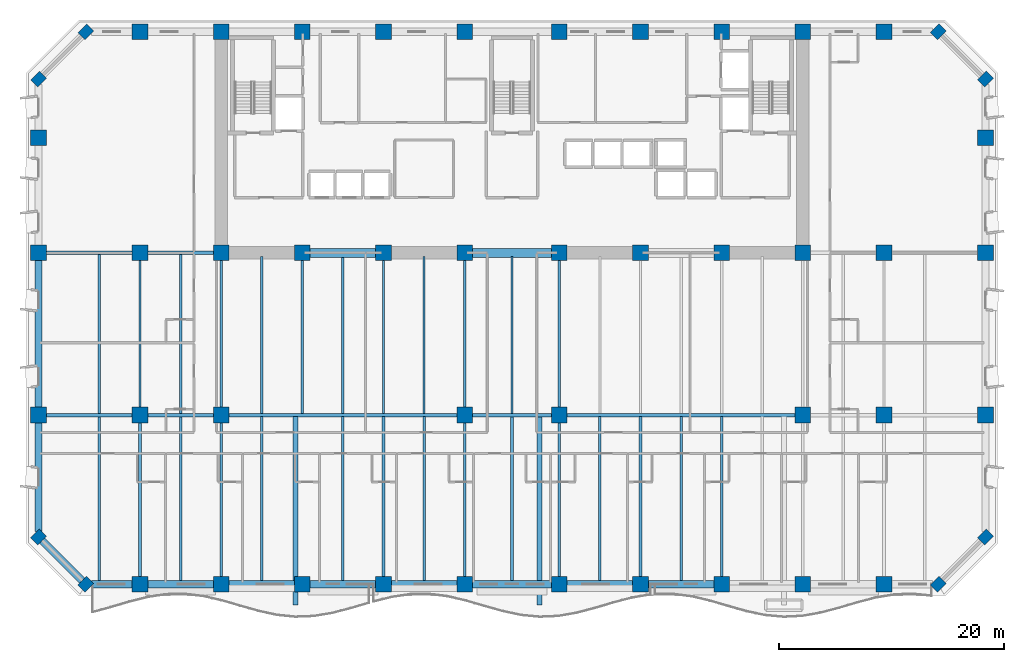
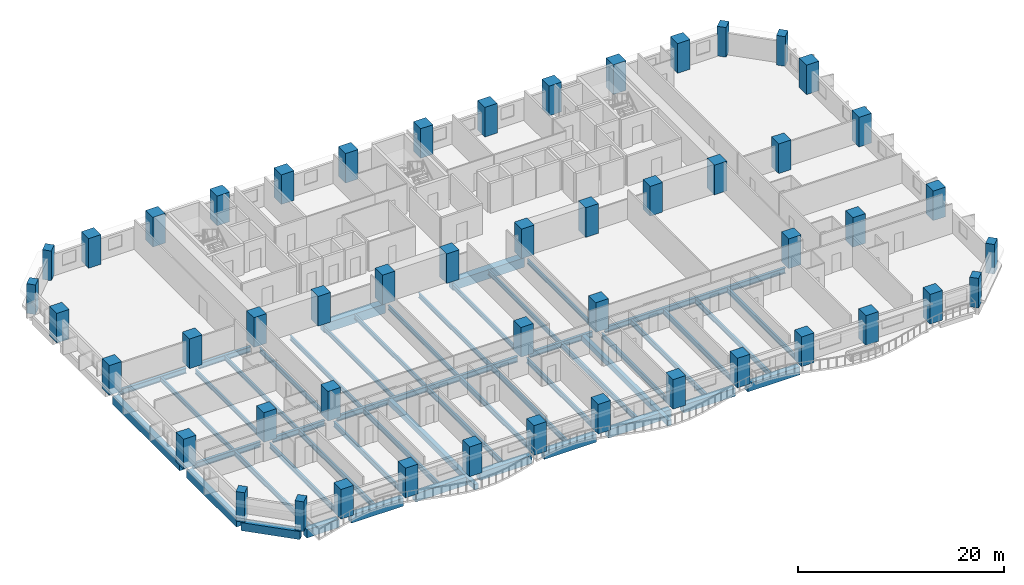
# One storey, part 1 of 15: 50 columns, 49 beams.
"""IFC4 building model written with IfcOpenShell, lengths in metres."""

from ifc_helpers import new_model, si_unit, direction, frame, origin, origin_2d, place, context, subcontext, project, spatial, rectangle, i_section, extrude, material, material_profile, profile_set, type_object, element, save


model = new_model("IFC4")

# Units and contexts
model_context = context("Model", 3, precision=1e-05, world=origin(), true_north=direction((0.0, 1.0)))
body_context = subcontext(model_context, "Body", "Model", "MODEL_VIEW")
ifc_project = project(units=[si_unit("LENGTHUNIT", "METRE"), si_unit("AREAUNIT", "SQUARE_METRE"), si_unit("VOLUMEUNIT", "CUBIC_METRE"), si_unit("PLANEANGLEUNIT", "RADIAN"), si_unit("MASSUNIT", "GRAM", prefix="KILO")], contexts=[model_context])

# Site, building, storey
site_placement = place(None, origin())
site = spatial("IfcSite", under=ifc_project, at=site_placement, CompositionType="ELEMENT")
building_placement = place(site_placement, origin())
building = spatial("IfcBuilding", under=site, at=building_placement, Name="Kaelvorn Grand Hotel", CompositionType="ELEMENT")
storey_placement = place(building_placement, frame((0.0, 0.0, 57.64990234375)))
storey = spatial("IfcBuildingStorey", under=building, at=storey_placement, Name="L12", CompositionType="ELEMENT", Elevation=57.64990234375)

# Columns
ifc_material_1 = material(Name="Concrete C80/95", Category="concrete")
ifc_material_profile_1 = material_profile(ifc_material_1, rectangle(XDim=1.10009765625, YDim=0.89990234375, at=origin_2d()), Name="RC PILASTER 1100x900")
ifc_profile_set_1 = profile_set([ifc_material_profile_1], Name="Concrete C80/95")
column_type_1 = type_object("IfcColumnType", Name="COL-PIL-1100x900-C80", PredefinedType="PILASTER", material=ifc_profile_set_1)
for number, where, z_axis, x_axis, name in (
    (1, (4.199951171875, 0.0, 0.0), (0.0, 0.0, 1.0), (0.707106781187, 0.707106781187, 0.0), "L12 Structural Column CH-01"),
    (2, (79.800048828125, 0.0, 0.0), (0.0, 0.0, 1.0), (0.707106781187, 0.707106781187, 0.0), "L12 Structural Column CH-02"),
    (3, (84.0, 4.199951171875, 0.0), (0.0, 0.0, 1.0), (0.707106781187, 0.707106781187, 0.0), "L12 Structural Column CH-03"),
    (4, (84.0, 44.800048828125, 0.0), (0.0, 0.0, 1.0), (0.707106781187, 0.707106781187, 0.0), "L12 Structural Column CH-04"),
    (5, (79.800048828125, 49.0, 0.0), (0.0, 0.0, 1.0), (0.707106781187, 0.707106781187, 0.0), "L12 Structural Column CH-05"),
    (6, (4.199951171875, 49.0, 0.0), (0.0, 0.0, 1.0), (0.707106781187, 0.707106781187, 0.0), "L12 Structural Column CH-06"),
    (7, (0.0, 44.800048828125, 0.0), (0.0, 0.0, 1.0), (0.707106781187, 0.707106781187, 0.0), "L12 Structural Column CH-07"),
    (8, (0.0, 4.199951171875, 0.0), (0.0, 0.0, 1.0), (0.707106781187, 0.707106781187, 0.0), "L12 Structural Column CH-08"),
):
    element("IfcColumn", number, at=place(storey_placement, frame(where, z_axis=z_axis, x_axis=x_axis)), inside=storey, type_object=column_type_1, Name=name, PredefinedType="PILASTER", context=body_context, shape_type="SweptSolid", body=[
        extrude(rectangle(XDim=1.10009765625, YDim=0.89990234375, at=origin_2d()), origin(), (0.0, 0.0, 1.0), 3.510009765625),
    ])
ifc_material_profile_2 = material_profile(ifc_material_1, rectangle(XDim=1.39990234375, YDim=1.39990234375, at=origin_2d()), Name="RC COL 1400x1400")
ifc_profile_set_2 = profile_set([ifc_material_profile_2], Name="Concrete C80/95")
column_type_2 = type_object("IfcColumnType", Name="COL-RC-1400-C80", PredefinedType="COLUMN", material=ifc_profile_set_2)
for number, where, z_axis, x_axis, name in (
    (9, (9.0, 0.0, 0.0), (0.0, 0.0, 1.0), (1.0, 0.0, 0.0), "L12 Structural Column S-01"),
    (10, (16.199951171875, 0.0, 0.0), (0.0, 0.0, 1.0), (1.0, 0.0, 0.0), "L12 Structural Column S-02"),
    (11, (23.39990234375, 0.0, 0.0), (0.0, 0.0, 1.0), (1.0, 0.0, 0.0), "L12 Structural Column S-03"),
    (12, (30.60009765625, 0.0, 0.0), (0.0, 0.0, 1.0), (1.0, 0.0, 0.0), "L12 Structural Column S-04"),
    (13, (37.800048828125, 0.0, 0.0), (0.0, 0.0, 1.0), (1.0, 0.0, 0.0), "L12 Structural Column S-05"),
    (14, (46.199951171875, 0.0, 0.0), (0.0, 0.0, 1.0), (1.0, 0.0, 0.0), "L12 Structural Column S-06"),
    (15, (53.39990234375, 0.0, 0.0), (0.0, 0.0, 1.0), (1.0, 0.0, 0.0), "L12 Structural Column S-07"),
    (16, (60.60009765625, 0.0, 0.0), (0.0, 0.0, 1.0), (1.0, 0.0, 0.0), "L12 Structural Column S-08"),
    (17, (67.800048828125, 0.0, 0.0), (0.0, 0.0, 1.0), (1.0, 0.0, 0.0), "L12 Structural Column S-09"),
    (18, (75.0, 0.0, 0.0), (0.0, 0.0, 1.0), (1.0, 0.0, 0.0), "L12 Structural Column S-10"),
    (19, (0.0, 15.0, 0.0), (0.0, 0.0, 1.0), (1.0, 0.0, 0.0), "L12 Structural Column W-01"),
    (20, (84.0, 15.0, 0.0), (0.0, 0.0, 1.0), (1.0, 0.0, 0.0), "L12 Structural Column E-01"),
    (21, (0.0, 29.39990234375, 0.0), (0.0, 0.0, 1.0), (1.0, 0.0, 0.0), "L12 Structural Column W-02"),
    (22, (84.0, 29.39990234375, 0.0), (0.0, 0.0, 1.0), (1.0, 0.0, 0.0), "L12 Structural Column E-02"),
    (23, (0.0, 39.60009765625, 0.0), (0.0, 0.0, 1.0), (1.0, 0.0, 0.0), "L12 Structural Column W-03"),
    (24, (84.0, 39.60009765625, 0.0), (0.0, 0.0, 1.0), (1.0, 0.0, 0.0), "L12 Structural Column E-03"),
    (25, (9.0, 15.0, 0.0), (0.0, 0.0, 1.0), (1.0, 0.0, 0.0), "L12 Structural Column M-01"),
    (26, (16.199951171875, 15.0, 0.0), (0.0, 0.0, 1.0), (1.0, 0.0, 0.0), "L12 Structural Column M-02"),
    (27, (37.800048828125, 15.0, 0.0), (0.0, 0.0, 1.0), (1.0, 0.0, 0.0), "L12 Structural Column M-03"),
    (28, (46.199951171875, 15.0, 0.0), (0.0, 0.0, 1.0), (1.0, 0.0, 0.0), "L12 Structural Column M-04"),
    (29, (67.800048828125, 15.0, 0.0), (0.0, 0.0, 1.0), (1.0, 0.0, 0.0), "L12 Structural Column M-05"),
    (30, (75.0, 15.0, 0.0), (0.0, 0.0, 1.0), (1.0, 0.0, 0.0), "L12 Structural Column M-06"),
    (31, (9.0, 29.39990234375, 0.0), (0.0, 0.0, 1.0), (1.0, 0.0, 0.0), "L12 Structural Column CR1-01"),
    (32, (9.0, 49.0, 0.0), (0.0, 0.0, 1.0), (1.0, 0.0, 0.0), "L12 Structural Column CR2-01"),
    (33, (16.199951171875, 29.39990234375, 0.0), (0.0, 0.0, 1.0), (1.0, 0.0, 0.0), "L12 Structural Column CR1-02"),
    (34, (16.199951171875, 49.0, 0.0), (0.0, 0.0, 1.0), (1.0, 0.0, 0.0), "L12 Structural Column CR2-02"),
    (35, (23.39990234375, 29.39990234375, 0.0), (0.0, 0.0, 1.0), (1.0, 0.0, 0.0), "L12 Structural Column CR1-03"),
    (36, (23.39990234375, 49.0, 0.0), (0.0, 0.0, 1.0), (1.0, 0.0, 0.0), "L12 Structural Column CR2-03"),
    (37, (30.60009765625, 29.39990234375, 0.0), (0.0, 0.0, 1.0), (1.0, 0.0, 0.0), "L12 Structural Column CR1-04"),
    (38, (30.60009765625, 49.0, 0.0), (0.0, 0.0, 1.0), (1.0, 0.0, 0.0), "L12 Structural Column CR2-04"),
    (39, (37.800048828125, 29.39990234375, 0.0), (0.0, 0.0, 1.0), (1.0, 0.0, 0.0), "L12 Structural Column CR1-05"),
    (40, (37.800048828125, 49.0, 0.0), (0.0, 0.0, 1.0), (1.0, 0.0, 0.0), "L12 Structural Column CR2-05"),
    (41, (46.199951171875, 29.39990234375, 0.0), (0.0, 0.0, 1.0), (1.0, 0.0, 0.0), "L12 Structural Column CR1-06"),
    (42, (46.199951171875, 49.0, 0.0), (0.0, 0.0, 1.0), (1.0, 0.0, 0.0), "L12 Structural Column CR2-06"),
    (43, (53.39990234375, 29.39990234375, 0.0), (0.0, 0.0, 1.0), (1.0, 0.0, 0.0), "L12 Structural Column CR1-07"),
    (44, (53.39990234375, 49.0, 0.0), (0.0, 0.0, 1.0), (1.0, 0.0, 0.0), "L12 Structural Column CR2-07"),
    (45, (60.60009765625, 29.39990234375, 0.0), (0.0, 0.0, 1.0), (1.0, 0.0, 0.0), "L12 Structural Column CR1-08"),
    (46, (60.60009765625, 49.0, 0.0), (0.0, 0.0, 1.0), (1.0, 0.0, 0.0), "L12 Structural Column CR2-08"),
    (47, (67.800048828125, 29.39990234375, 0.0), (0.0, 0.0, 1.0), (1.0, 0.0, 0.0), "L12 Structural Column CR1-09"),
    (48, (67.800048828125, 49.0, 0.0), (0.0, 0.0, 1.0), (1.0, 0.0, 0.0), "L12 Structural Column CR2-09"),
    (49, (75.0, 29.39990234375, 0.0), (0.0, 0.0, 1.0), (1.0, 0.0, 0.0), "L12 Structural Column CR1-10"),
    (50, (75.0, 49.0, 0.0), (0.0, 0.0, 1.0), (1.0, 0.0, 0.0), "L12 Structural Column CR2-10"),
):
    element("IfcColumn", number, at=place(storey_placement, frame(where, z_axis=z_axis, x_axis=x_axis)), inside=storey, type_object=column_type_2, Name=name, PredefinedType="COLUMN", context=body_context, shape_type="SweptSolid", body=[
        extrude(rectangle(XDim=1.39990234375, YDim=1.39990234375, at=origin_2d()), origin(), (0.0, 0.0, 1.0), 3.510009765625),
    ])

# Beams
ifc_material_2 = material(Name="Steel S355", Category="steel")
ifc_material_profile_3 = material_profile(ifc_material_2, i_section(OverallWidth=0.300048828125, OverallDepth=0.64990234375, WebThickness=0.01611328125, FlangeThickness=0.031005859375, FilletRadius=0.027099609375, at=origin_2d()), Name="HEB 650")
ifc_profile_set_3 = profile_set([ifc_material_profile_3], Name="Steel S355")
beam_type_1 = type_object("IfcBeamType", Name="BM-G-HEB650-S355", PredefinedType="BEAM", material=ifc_profile_set_3)
beam_1_placement = place(storey_placement, frame((0.68505859375, 15.0, -0.56494140625), z_axis=(1.0, 0.0, 0.0), x_axis=(0.0, 1.0, 0.0)))
element("IfcBeam", 51, at=beam_1_placement, inside=storey, type_object=beam_type_1, Name="L12 Primary Spine Steel Girder G-15 01", PredefinedType="BEAM", context=body_context, shape_type="SweptSolid", body=[
    extrude(i_section(OverallWidth=0.300048828125, OverallDepth=0.64990234375, WebThickness=0.01611328125, FlangeThickness=0.031005859375, FilletRadius=0.027099609375, at=origin_2d()), origin(), (0.0, 0.0, 1.0), 7.6298828125),
])
beam_2_placement = place(storey_placement, frame((9.68505859375, 15.0, -0.56494140625), z_axis=(1.0, 0.0, 0.0), x_axis=(0.0, 1.0, 0.0)))
element("IfcBeam", 52, at=beam_2_placement, inside=storey, type_object=beam_type_1, Name="L12 Primary Spine Steel Girder G-15 02", PredefinedType="BEAM", context=body_context, shape_type="SweptSolid", body=[
    extrude(i_section(OverallWidth=0.300048828125, OverallDepth=0.64990234375, WebThickness=0.01611328125, FlangeThickness=0.031005859375, FilletRadius=0.027099609375, at=origin_2d()), origin(), (0.0, 0.0, 1.0), 5.829833984375),
])
beam_3_placement = place(storey_placement, frame((16.885009765625, 15.0, -0.56494140625), z_axis=(1.0, 0.0, 0.0), x_axis=(0.0, 1.0, 0.0)))
element("IfcBeam", 53, at=beam_3_placement, inside=storey, type_object=beam_type_1, Name="L12 Primary Spine Steel Girder G-15 03", PredefinedType="BEAM", context=body_context, shape_type="SweptSolid", body=[
    extrude(i_section(OverallWidth=0.300048828125, OverallDepth=0.64990234375, WebThickness=0.01611328125, FlangeThickness=0.031005859375, FilletRadius=0.027099609375, at=origin_2d()), origin(), (0.0, 0.0, 1.0), 20.22998046875),
])
beam_4_placement = place(storey_placement, frame((38.485107421875, 15.0, -0.56494140625), z_axis=(1.0, 0.0, 0.0), x_axis=(0.0, 1.0, 0.0)))
element("IfcBeam", 54, at=beam_4_placement, inside=storey, type_object=beam_type_1, Name="L12 Primary Spine Steel Girder G-15 04", PredefinedType="BEAM", context=body_context, shape_type="SweptSolid", body=[
    extrude(i_section(OverallWidth=0.300048828125, OverallDepth=0.64990234375, WebThickness=0.01611328125, FlangeThickness=0.031005859375, FilletRadius=0.027099609375, at=origin_2d()), origin(), (0.0, 0.0, 1.0), 7.02978515625),
])
beam_5_placement = place(storey_placement, frame((46.885009765625, 15.0, -0.56494140625), z_axis=(1.0, 0.0, 0.0), x_axis=(0.0, 1.0, 0.0)))
element("IfcBeam", 55, at=beam_5_placement, inside=storey, type_object=beam_type_1, Name="L12 Primary Spine Steel Girder G-15 05", PredefinedType="BEAM", context=body_context, shape_type="SweptSolid", body=[
    extrude(i_section(OverallWidth=0.300048828125, OverallDepth=0.64990234375, WebThickness=0.01611328125, FlangeThickness=0.031005859375, FilletRadius=0.027099609375, at=origin_2d()), origin(), (0.0, 0.0, 1.0), 20.22998046875),
])
beam_6_placement = place(storey_placement, frame((0.68505859375, 29.39990234375, -0.56494140625), z_axis=(1.0, 0.0, 0.0), x_axis=(0.0, 1.0, 0.0)))
element("IfcBeam", 56, at=beam_6_placement, inside=storey, type_object=beam_type_1, Name="L12 West Core Wing Steel Girder G-29W 01", PredefinedType="BEAM", context=body_context, shape_type="SweptSolid", body=[
    extrude(i_section(OverallWidth=0.300048828125, OverallDepth=0.64990234375, WebThickness=0.01611328125, FlangeThickness=0.031005859375, FilletRadius=0.027099609375, at=origin_2d()), origin(), (0.0, 0.0, 1.0), 7.6298828125),
])
beam_7_placement = place(storey_placement, frame((9.68505859375, 29.39990234375, -0.56494140625), z_axis=(1.0, 0.0, 0.0), x_axis=(0.0, 1.0, 0.0)))
element("IfcBeam", 57, at=beam_7_placement, inside=storey, type_object=beam_type_1, Name="L12 West Core Wing Steel Girder G-29W 02", PredefinedType="BEAM", context=body_context, shape_type="SweptSolid", body=[
    extrude(i_section(OverallWidth=0.300048828125, OverallDepth=0.64990234375, WebThickness=0.01611328125, FlangeThickness=0.031005859375, FilletRadius=0.027099609375, at=origin_2d()), origin(), (0.0, 0.0, 1.0), 5.829833984375),
])
ifc_material_profile_4 = material_profile(ifc_material_2, i_section(OverallWidth=0.209228515625, OverallDepth=0.533203125, WebThickness=0.010009765625, FlangeThickness=0.015625, FilletRadius=0.0126953125, at=origin_2d()), Name="UB 533x210x92")
ifc_profile_set_4 = profile_set([ifc_material_profile_4], Name="Steel S355")
beam_type_2 = type_object("IfcBeamType", Name="BM-J-UB533-S355", PredefinedType="JOIST", material=ifc_profile_set_4)
beam_8_placement = place(storey_placement, frame((5.39990234375, 15.135009765625, -0.50634765625), z_axis=(0.0, 1.0, 0.0), x_axis=(-1.0, 0.0, 0.0)))
element("IfcBeam", 58, at=beam_8_placement, inside=storey, type_object=beam_type_2, Name="L12 Composite Floor Joist JM-02", PredefinedType="JOIST", context=body_context, shape_type="SweptSolid", body=[
    extrude(i_section(OverallWidth=0.209228515625, OverallDepth=0.533203125, WebThickness=0.010009765625, FlangeThickness=0.015625, FilletRadius=0.0126953125, at=origin_2d()), origin(), (0.0, 0.0, 1.0), 14.1298828125),
])
beam_9_placement = place(storey_placement, frame((9.0, 15.68505859375, -0.50634765625), z_axis=(0.0, 1.0, 0.0), x_axis=(-1.0, 0.0, 0.0)))
element("IfcBeam", 59, at=beam_9_placement, inside=storey, type_object=beam_type_2, Name="L12 Composite Floor Joist JM-03", PredefinedType="JOIST", context=body_context, shape_type="SweptSolid", body=[
    extrude(i_section(OverallWidth=0.209228515625, OverallDepth=0.533203125, WebThickness=0.010009765625, FlangeThickness=0.015625, FilletRadius=0.0126953125, at=origin_2d()), origin(), (0.0, 0.0, 1.0), 13.030029296875),
])
beam_10_placement = place(storey_placement, frame((12.60009765625, 15.135009765625, -0.50634765625), z_axis=(0.0, 1.0, 0.0), x_axis=(-1.0, 0.0, 0.0)))
element("IfcBeam", 60, at=beam_10_placement, inside=storey, type_object=beam_type_2, Name="L12 Composite Floor Joist JM-04", PredefinedType="JOIST", context=body_context, shape_type="SweptSolid", body=[
    extrude(i_section(OverallWidth=0.209228515625, OverallDepth=0.533203125, WebThickness=0.010009765625, FlangeThickness=0.015625, FilletRadius=0.0126953125, at=origin_2d()), origin(), (0.0, 0.0, 1.0), 14.1298828125),
])
beam_11_placement = place(storey_placement, frame((16.199951171875, 15.68505859375, -0.50634765625), z_axis=(0.0, 1.0, 0.0), x_axis=(-1.0, 0.0, 0.0)))
element("IfcBeam", 61, at=beam_11_placement, inside=storey, type_object=beam_type_2, Name="L12 Composite Floor Joist JM-05", PredefinedType="JOIST", context=body_context, shape_type="SweptSolid", body=[
    extrude(i_section(OverallWidth=0.209228515625, OverallDepth=0.533203125, WebThickness=0.010009765625, FlangeThickness=0.015625, FilletRadius=0.0126953125, at=origin_2d()), origin(), (0.0, 0.0, 1.0), 13.030029296875),
])
beam_12_placement = place(storey_placement, frame((19.800048828125, 15.135009765625, -0.50634765625), z_axis=(0.0, 1.0, 0.0), x_axis=(-1.0, 0.0, 0.0)))
element("IfcBeam", 62, at=beam_12_placement, inside=storey, type_object=beam_type_2, Name="L12 Composite Floor Joist JM-06", PredefinedType="JOIST", context=body_context, shape_type="SweptSolid", body=[
    extrude(i_section(OverallWidth=0.209228515625, OverallDepth=0.533203125, WebThickness=0.010009765625, FlangeThickness=0.015625, FilletRadius=0.0126953125, at=origin_2d()), origin(), (0.0, 0.0, 1.0), 13.925048828125),
])
beam_13_placement = place(storey_placement, frame((23.39990234375, 15.135009765625, -0.50634765625), z_axis=(0.0, 1.0, 0.0), x_axis=(-1.0, 0.0, 0.0)))
element("IfcBeam", 63, at=beam_13_placement, inside=storey, type_object=beam_type_2, Name="L12 Composite Floor Joist JM-07", PredefinedType="JOIST", context=body_context, shape_type="SweptSolid", body=[
    extrude(i_section(OverallWidth=0.209228515625, OverallDepth=0.533203125, WebThickness=0.010009765625, FlangeThickness=0.015625, FilletRadius=0.0126953125, at=origin_2d()), origin(), (0.0, 0.0, 1.0), 13.580078125),
])
beam_14_placement = place(storey_placement, frame((27.0, 15.135009765625, -0.50634765625), z_axis=(0.0, 1.0, 0.0), x_axis=(-1.0, 0.0, 0.0)))
element("IfcBeam", 64, at=beam_14_placement, inside=storey, type_object=beam_type_2, Name="L12 Composite Floor Joist JM-08", PredefinedType="JOIST", context=body_context, shape_type="SweptSolid", body=[
    extrude(i_section(OverallWidth=0.209228515625, OverallDepth=0.533203125, WebThickness=0.010009765625, FlangeThickness=0.015625, FilletRadius=0.0126953125, at=origin_2d()), origin(), (0.0, 0.0, 1.0), 13.925048828125),
])
beam_15_placement = place(storey_placement, frame((30.60009765625, 15.135009765625, -0.50634765625), z_axis=(0.0, 1.0, 0.0), x_axis=(-1.0, 0.0, 0.0)))
element("IfcBeam", 65, at=beam_15_placement, inside=storey, type_object=beam_type_2, Name="L12 Composite Floor Joist JM-09", PredefinedType="JOIST", context=body_context, shape_type="SweptSolid", body=[
    extrude(i_section(OverallWidth=0.209228515625, OverallDepth=0.533203125, WebThickness=0.010009765625, FlangeThickness=0.015625, FilletRadius=0.0126953125, at=origin_2d()), origin(), (0.0, 0.0, 1.0), 13.580078125),
])
beam_16_placement = place(storey_placement, frame((34.199951171875, 15.135009765625, -0.50634765625), z_axis=(0.0, 1.0, 0.0), x_axis=(-1.0, 0.0, 0.0)))
element("IfcBeam", 66, at=beam_16_placement, inside=storey, type_object=beam_type_2, Name="L12 Composite Floor Joist JM-10", PredefinedType="JOIST", context=body_context, shape_type="SweptSolid", body=[
    extrude(i_section(OverallWidth=0.209228515625, OverallDepth=0.533203125, WebThickness=0.010009765625, FlangeThickness=0.015625, FilletRadius=0.0126953125, at=origin_2d()), origin(), (0.0, 0.0, 1.0), 13.925048828125),
])
beam_17_placement = place(storey_placement, frame((37.800048828125, 15.68505859375, -0.50634765625), z_axis=(0.0, 1.0, 0.0), x_axis=(-1.0, 0.0, 0.0)))
element("IfcBeam", 67, at=beam_17_placement, inside=storey, type_object=beam_type_2, Name="L12 Composite Floor Joist JM-11", PredefinedType="JOIST", context=body_context, shape_type="SweptSolid", body=[
    extrude(i_section(OverallWidth=0.209228515625, OverallDepth=0.533203125, WebThickness=0.010009765625, FlangeThickness=0.015625, FilletRadius=0.0126953125, at=origin_2d()), origin(), (0.0, 0.0, 1.0), 13.030029296875),
])
beam_18_placement = place(storey_placement, frame((42.0, 15.135009765625, -0.50634765625), z_axis=(0.0, 1.0, 0.0), x_axis=(-1.0, 0.0, 0.0)))
element("IfcBeam", 68, at=beam_18_placement, inside=storey, type_object=beam_type_2, Name="L12 Composite Floor Joist JM-12", PredefinedType="JOIST", context=body_context, shape_type="SweptSolid", body=[
    extrude(i_section(OverallWidth=0.209228515625, OverallDepth=0.533203125, WebThickness=0.010009765625, FlangeThickness=0.015625, FilletRadius=0.0126953125, at=origin_2d()), origin(), (0.0, 0.0, 1.0), 13.925048828125),
])
beam_19_placement = place(storey_placement, frame((46.199951171875, 15.68505859375, -0.50634765625), z_axis=(0.0, 1.0, 0.0), x_axis=(-1.0, 0.0, 0.0)))
element("IfcBeam", 69, at=beam_19_placement, inside=storey, type_object=beam_type_2, Name="L12 Composite Floor Joist JM-13", PredefinedType="JOIST", context=body_context, shape_type="SweptSolid", body=[
    extrude(i_section(OverallWidth=0.209228515625, OverallDepth=0.533203125, WebThickness=0.010009765625, FlangeThickness=0.015625, FilletRadius=0.0126953125, at=origin_2d()), origin(), (0.0, 0.0, 1.0), 13.030029296875),
])
ifc_material_profile_5 = material_profile(ifc_material_2, i_section(OverallWidth=0.22900390625, OverallDepth=0.6123046875, WebThickness=0.011962890625, FlangeThickness=0.01953125, FilletRadius=0.0126953125, at=origin_2d()), Name="UB 610x229x125")
ifc_profile_set_5 = profile_set([ifc_material_profile_5], Name="Steel S355")
beam_type_3 = type_object("IfcBeamType", Name="BM-J-UB610-S355", PredefinedType="JOIST", material=ifc_profile_set_5)
beam_20_placement = place(storey_placement, frame((5.39990234375, 0.31005859375, -0.5458984375), z_axis=(0.0, 1.0, 0.0), x_axis=(-1.0, 0.0, 0.0)))
element("IfcBeam", 70, at=beam_20_placement, inside=storey, type_object=beam_type_3, Name="L12 Composite Floor Joist JS-02", PredefinedType="JOIST", context=body_context, shape_type="SweptSolid", body=[
    extrude(i_section(OverallWidth=0.22900390625, OverallDepth=0.6123046875, WebThickness=0.011962890625, FlangeThickness=0.01953125, FilletRadius=0.0126953125, at=origin_2d()), origin(), (0.0, 0.0, 1.0), 14.554931640625),
])
beam_21_placement = place(storey_placement, frame((9.0, 0.68505859375, -0.5458984375), z_axis=(0.0, 1.0, 0.0), x_axis=(-1.0, 0.0, 0.0)))
element("IfcBeam", 71, at=beam_21_placement, inside=storey, type_object=beam_type_3, Name="L12 Composite Floor Joist JS-03", PredefinedType="JOIST", context=body_context, shape_type="SweptSolid", body=[
    extrude(i_section(OverallWidth=0.22900390625, OverallDepth=0.6123046875, WebThickness=0.011962890625, FlangeThickness=0.01953125, FilletRadius=0.0126953125, at=origin_2d()), origin(), (0.0, 0.0, 1.0), 13.6298828125),
])
beam_22_placement = place(storey_placement, frame((12.60009765625, 0.31005859375, -0.5458984375), z_axis=(0.0, 1.0, 0.0), x_axis=(-1.0, 0.0, 0.0)))
element("IfcBeam", 72, at=beam_22_placement, inside=storey, type_object=beam_type_3, Name="L12 Composite Floor Joist JS-04", PredefinedType="JOIST", context=body_context, shape_type="SweptSolid", body=[
    extrude(i_section(OverallWidth=0.22900390625, OverallDepth=0.6123046875, WebThickness=0.011962890625, FlangeThickness=0.01953125, FilletRadius=0.0126953125, at=origin_2d()), origin(), (0.0, 0.0, 1.0), 14.554931640625),
])
beam_23_placement = place(storey_placement, frame((16.199951171875, 0.68505859375, -0.5458984375), z_axis=(0.0, 1.0, 0.0), x_axis=(-1.0, 0.0, 0.0)))
element("IfcBeam", 73, at=beam_23_placement, inside=storey, type_object=beam_type_3, Name="L12 Composite Floor Joist JS-05", PredefinedType="JOIST", context=body_context, shape_type="SweptSolid", body=[
    extrude(i_section(OverallWidth=0.22900390625, OverallDepth=0.6123046875, WebThickness=0.011962890625, FlangeThickness=0.01953125, FilletRadius=0.0126953125, at=origin_2d()), origin(), (0.0, 0.0, 1.0), 13.6298828125),
])
for number, where, z_axis, x_axis, name in (
    (74, (19.800048828125, 0.31005859375, -0.5458984375), (0.0, 1.0, 0.0), (-1.0, 0.0, 0.0), "L12 Composite Floor Joist JS-06"),
    (75, (27.0, 0.31005859375, -0.5458984375), (0.0, 1.0, 0.0), (-1.0, 0.0, 0.0), "L12 Composite Floor Joist JS-08"),
):
    element("IfcBeam", number, at=place(storey_placement, frame(where, z_axis=z_axis, x_axis=x_axis)), inside=storey, type_object=beam_type_3, Name=name, PredefinedType="JOIST", context=body_context, shape_type="SweptSolid", body=[
        extrude(i_section(OverallWidth=0.22900390625, OverallDepth=0.6123046875, WebThickness=0.011962890625, FlangeThickness=0.01953125, FilletRadius=0.0126953125, at=origin_2d()), origin(), (0.0, 0.0, 1.0), 14.554931640625),
    ])
beam_24_placement = place(storey_placement, frame((30.60009765625, 0.68505859375, -0.5458984375), z_axis=(0.0, 1.0, 0.0), x_axis=(-1.0, 0.0, 0.0)))
element("IfcBeam", 76, at=beam_24_placement, inside=storey, type_object=beam_type_3, Name="L12 Composite Floor Joist JS-09", PredefinedType="JOIST", context=body_context, shape_type="SweptSolid", body=[
    extrude(i_section(OverallWidth=0.22900390625, OverallDepth=0.6123046875, WebThickness=0.011962890625, FlangeThickness=0.01953125, FilletRadius=0.0126953125, at=origin_2d()), origin(), (0.0, 0.0, 1.0), 14.179931640625),
])
beam_25_placement = place(storey_placement, frame((34.199951171875, 0.31005859375, -0.5458984375), z_axis=(0.0, 1.0, 0.0), x_axis=(-1.0, 0.0, 0.0)))
element("IfcBeam", 77, at=beam_25_placement, inside=storey, type_object=beam_type_3, Name="L12 Composite Floor Joist JS-10", PredefinedType="JOIST", context=body_context, shape_type="SweptSolid", body=[
    extrude(i_section(OverallWidth=0.22900390625, OverallDepth=0.6123046875, WebThickness=0.011962890625, FlangeThickness=0.01953125, FilletRadius=0.0126953125, at=origin_2d()), origin(), (0.0, 0.0, 1.0), 14.554931640625),
])
beam_26_placement = place(storey_placement, frame((37.800048828125, 0.68505859375, -0.5458984375), z_axis=(0.0, 1.0, 0.0), x_axis=(-1.0, 0.0, 0.0)))
element("IfcBeam", 78, at=beam_26_placement, inside=storey, type_object=beam_type_3, Name="L12 Composite Floor Joist JS-11", PredefinedType="JOIST", context=body_context, shape_type="SweptSolid", body=[
    extrude(i_section(OverallWidth=0.22900390625, OverallDepth=0.6123046875, WebThickness=0.011962890625, FlangeThickness=0.01953125, FilletRadius=0.0126953125, at=origin_2d()), origin(), (0.0, 0.0, 1.0), 13.6298828125),
])
beam_27_placement = place(storey_placement, frame((42.0, 0.31005859375, -0.5458984375), z_axis=(0.0, 1.0, 0.0), x_axis=(-1.0, 0.0, 0.0)))
element("IfcBeam", 79, at=beam_27_placement, inside=storey, type_object=beam_type_3, Name="L12 Composite Floor Joist JS-12", PredefinedType="JOIST", context=body_context, shape_type="SweptSolid", body=[
    extrude(i_section(OverallWidth=0.22900390625, OverallDepth=0.6123046875, WebThickness=0.011962890625, FlangeThickness=0.01953125, FilletRadius=0.0126953125, at=origin_2d()), origin(), (0.0, 0.0, 1.0), 14.554931640625),
])
beam_28_placement = place(storey_placement, frame((46.199951171875, 0.68505859375, -0.5458984375), z_axis=(0.0, 1.0, 0.0), x_axis=(-1.0, 0.0, 0.0)))
element("IfcBeam", 80, at=beam_28_placement, inside=storey, type_object=beam_type_3, Name="L12 Composite Floor Joist JS-13", PredefinedType="JOIST", context=body_context, shape_type="SweptSolid", body=[
    extrude(i_section(OverallWidth=0.22900390625, OverallDepth=0.6123046875, WebThickness=0.011962890625, FlangeThickness=0.01953125, FilletRadius=0.0126953125, at=origin_2d()), origin(), (0.0, 0.0, 1.0), 13.6298828125),
])
beam_29_placement = place(storey_placement, frame((49.800048828125, 0.31005859375, -0.5458984375), z_axis=(0.0, 1.0, 0.0), x_axis=(-1.0, 0.0, 0.0)))
element("IfcBeam", 81, at=beam_29_placement, inside=storey, type_object=beam_type_3, Name="L12 Composite Floor Joist JS-14", PredefinedType="JOIST", context=body_context, shape_type="SweptSolid", body=[
    extrude(i_section(OverallWidth=0.22900390625, OverallDepth=0.6123046875, WebThickness=0.011962890625, FlangeThickness=0.01953125, FilletRadius=0.0126953125, at=origin_2d()), origin(), (0.0, 0.0, 1.0), 14.554931640625),
])
beam_30_placement = place(storey_placement, frame((53.39990234375, 0.68505859375, -0.5458984375), z_axis=(0.0, 1.0, 0.0), x_axis=(-1.0, 0.0, 0.0)))
element("IfcBeam", 82, at=beam_30_placement, inside=storey, type_object=beam_type_3, Name="L12 Composite Floor Joist JS-15", PredefinedType="JOIST", context=body_context, shape_type="SweptSolid", body=[
    extrude(i_section(OverallWidth=0.22900390625, OverallDepth=0.6123046875, WebThickness=0.011962890625, FlangeThickness=0.01953125, FilletRadius=0.0126953125, at=origin_2d()), origin(), (0.0, 0.0, 1.0), 14.179931640625),
])
beam_31_placement = place(storey_placement, frame((57.0, 0.31005859375, -0.5458984375), z_axis=(0.0, 1.0, 0.0), x_axis=(-1.0, 0.0, 0.0)))
element("IfcBeam", 83, at=beam_31_placement, inside=storey, type_object=beam_type_3, Name="L12 Composite Floor Joist JS-16", PredefinedType="JOIST", context=body_context, shape_type="SweptSolid", body=[
    extrude(i_section(OverallWidth=0.22900390625, OverallDepth=0.6123046875, WebThickness=0.011962890625, FlangeThickness=0.01953125, FilletRadius=0.0126953125, at=origin_2d()), origin(), (0.0, 0.0, 1.0), 14.554931640625),
])
beam_32_placement = place(storey_placement, frame((60.60009765625, 0.68505859375, -0.5458984375), z_axis=(0.0, 1.0, 0.0), x_axis=(-1.0, 0.0, 0.0)))
element("IfcBeam", 84, at=beam_32_placement, inside=storey, type_object=beam_type_3, Name="L12 Composite Floor Joist JS-17", PredefinedType="JOIST", context=body_context, shape_type="SweptSolid", body=[
    extrude(i_section(OverallWidth=0.22900390625, OverallDepth=0.6123046875, WebThickness=0.011962890625, FlangeThickness=0.01953125, FilletRadius=0.0126953125, at=origin_2d()), origin(), (0.0, 0.0, 1.0), 14.179931640625),
])
ifc_material_3 = material(Name="Concrete C60/75", Category="concrete")
ifc_material_profile_6 = material_profile(ifc_material_3, rectangle(XDim=0.800048828125, YDim=1.10009765625, at=origin_2d()), Name="RC LINTEL 800x1100")
ifc_profile_set_6 = profile_set([ifc_material_profile_6], Name="Concrete C60/75")
beam_type_4 = type_object("IfcBeamType", Name="BM-LIN-800x1100-C60", PredefinedType="LINTEL", material=ifc_profile_set_6)
beam_33_placement = place(storey_placement, frame((23.580078125, 29.39990234375, -0.789794921875), z_axis=(1.0, 0.0, 0.0), x_axis=(0.0, 1.0, 0.0)))
element("IfcBeam", 85, at=beam_33_placement, inside=storey, type_object=beam_type_4, Name="L12 Rear-Core Coupling Lintel Beam CB1-01", PredefinedType="LINTEL", context=body_context, shape_type="SweptSolid", body=[
    extrude(rectangle(XDim=0.800048828125, YDim=1.10009765625, at=origin_2d()), origin(), (0.0, 0.0, 1.0), 6.83984375),
])
beam_34_placement = place(storey_placement, frame((37.97998046875, 29.39990234375, -0.789794921875), z_axis=(1.0, 0.0, 0.0), x_axis=(0.0, 1.0, 0.0)))
element("IfcBeam", 86, at=beam_34_placement, inside=storey, type_object=beam_type_4, Name="L12 Rear-Core Coupling Lintel Beam CB1-02", PredefinedType="LINTEL", context=body_context, shape_type="SweptSolid", body=[
    extrude(rectangle(XDim=0.800048828125, YDim=1.10009765625, at=origin_2d()), origin(), (0.0, 0.0, 1.0), 8.0400390625),
])
ifc_material_4 = material(Name="Concrete C40/50", Category="concrete")
ifc_material_profile_7 = material_profile(ifc_material_4, rectangle(XDim=0.449951171875, YDim=0.64990234375, at=origin_2d()), Name="RC RIB 450x650")
ifc_profile_set_7 = profile_set([ifc_material_profile_7], Name="Concrete C40/50")
beam_type_5 = type_object("IfcBeamType", Name="BM-RIB-450x650-C40", PredefinedType="SPANDREL", material=ifc_profile_set_7)
for number, where, z_axis, x_axis, name in (
    (87, (22.791015625, -1.85009765625, -0.544921875), (0.0, 1.0, 0.0), (-1.0, 0.0, 0.0), "L12 Cantilevered Balcony Back-Span Rib RB1-1"),
    (88, (44.453369140625, -1.85009765625, -0.544921875), (0.0, 1.0, 0.0), (-1.0, 0.0, 0.0), "L12 Cantilevered Balcony Back-Span Rib RB1-2"),
):
    element("IfcBeam", number, at=place(storey_placement, frame(where, z_axis=z_axis, x_axis=x_axis)), inside=storey, type_object=beam_type_5, Name=name, PredefinedType="SPANDREL", context=body_context, shape_type="SweptSolid", body=[
        extrude(rectangle(XDim=0.449951171875, YDim=0.64990234375, at=origin_2d()), origin(), (0.0, 0.0, 1.0), 16.715087890625),
    ])
ifc_material_profile_8 = material_profile(ifc_material_3, rectangle(XDim=0.64990234375, YDim=0.949951171875, at=origin_2d()), Name="RC SPANDREL 650x950")
ifc_profile_set_8 = profile_set([ifc_material_profile_8], Name="Concrete C60/75")
beam_type_6 = type_object("IfcBeamType", Name="BM-SP-650x950-C60", PredefinedType="SPANDREL", material=ifc_profile_set_8)
beam_35_placement = place(storey_placement, frame((4.68505859375, 0.0, -0.71484375), z_axis=(1.0, 0.0, 0.0), x_axis=(0.0, 1.0, 0.0)))
element("IfcBeam", 89, at=beam_35_placement, inside=storey, type_object=beam_type_6, Name="L12 South Perimeter Spandrel 01", PredefinedType="SPANDREL", context=body_context, shape_type="SweptSolid", body=[
    extrude(rectangle(XDim=0.64990234375, YDim=0.949951171875, at=origin_2d()), origin(), (0.0, 0.0, 1.0), 3.6298828125),
])
beam_36_placement = place(storey_placement, frame((9.68505859375, 0.0, -0.71484375), z_axis=(1.0, 0.0, 0.0), x_axis=(0.0, 1.0, 0.0)))
element("IfcBeam", 90, at=beam_36_placement, inside=storey, type_object=beam_type_6, Name="L12 South Perimeter Spandrel 02", PredefinedType="SPANDREL", context=body_context, shape_type="SweptSolid", body=[
    extrude(rectangle(XDim=0.64990234375, YDim=0.949951171875, at=origin_2d()), origin(), (0.0, 0.0, 1.0), 5.829833984375),
])
for number, where, z_axis, x_axis, name in (
    (91, (16.885009765625, 0.0, -0.71484375), (1.0, 0.0, 0.0), (0.0, 1.0, 0.0), "L12 South Perimeter Spandrel 03"),
    (92, (24.0849609375, 0.0, -0.71484375), (1.0, 0.0, 0.0), (0.0, 1.0, 0.0), "L12 South Perimeter Spandrel 04"),
    (93, (31.284912109375, 0.0, -0.71484375), (1.0, 0.0, 0.0), (0.0, 1.0, 0.0), "L12 South Perimeter Spandrel 05"),
):
    element("IfcBeam", number, at=place(storey_placement, frame(where, z_axis=z_axis, x_axis=x_axis)), inside=storey, type_object=beam_type_6, Name=name, PredefinedType="SPANDREL", context=body_context, shape_type="SweptSolid", body=[
        extrude(rectangle(XDim=0.64990234375, YDim=0.949951171875, at=origin_2d()), origin(), (0.0, 0.0, 1.0), 5.830078125),
    ])
beam_37_placement = place(storey_placement, frame((38.485107421875, 0.0, -0.71484375), z_axis=(1.0, 0.0, 0.0), x_axis=(0.0, 1.0, 0.0)))
element("IfcBeam", 94, at=beam_37_placement, inside=storey, type_object=beam_type_6, Name="L12 South Perimeter Spandrel 06", PredefinedType="SPANDREL", context=body_context, shape_type="SweptSolid", body=[
    extrude(rectangle(XDim=0.64990234375, YDim=0.949951171875, at=origin_2d()), origin(), (0.0, 0.0, 1.0), 7.02978515625),
])
for number, where, z_axis, x_axis, name in (
    (95, (46.885009765625, 0.0, -0.71484375), (1.0, 0.0, 0.0), (0.0, 1.0, 0.0), "L12 South Perimeter Spandrel 07"),
    (96, (54.0849609375, 0.0, -0.71484375), (1.0, 0.0, 0.0), (0.0, 1.0, 0.0), "L12 South Perimeter Spandrel 08"),
):
    element("IfcBeam", number, at=place(storey_placement, frame(where, z_axis=z_axis, x_axis=x_axis)), inside=storey, type_object=beam_type_6, Name=name, PredefinedType="SPANDREL", context=body_context, shape_type="SweptSolid", body=[
        extrude(rectangle(XDim=0.64990234375, YDim=0.949951171875, at=origin_2d()), origin(), (0.0, 0.0, 1.0), 5.830078125),
    ])
beam_38_placement = place(storey_placement, frame((0.0, 4.68505859375, -0.71484375), z_axis=(0.0, 1.0, 0.0), x_axis=(-1.0, 0.0, 0.0)))
element("IfcBeam", 97, at=beam_38_placement, inside=storey, type_object=beam_type_6, Name="L12 West Perimeter Spandrel 01", PredefinedType="SPANDREL", context=body_context, shape_type="SweptSolid", body=[
    extrude(rectangle(XDim=0.64990234375, YDim=0.949951171875, at=origin_2d()), origin(), (0.0, 0.0, 1.0), 9.6298828125),
])
beam_39_placement = place(storey_placement, frame((0.0, 15.68505859375, -0.71484375), z_axis=(0.0, 1.0, 0.0), x_axis=(-1.0, 0.0, 0.0)))
element("IfcBeam", 98, at=beam_39_placement, inside=storey, type_object=beam_type_6, Name="L12 West Perimeter Spandrel 02", PredefinedType="SPANDREL", context=body_context, shape_type="SweptSolid", body=[
    extrude(rectangle(XDim=0.64990234375, YDim=0.949951171875, at=origin_2d()), origin(), (0.0, 0.0, 1.0), 13.030029296875),
])
beam_40_placement = place(storey_placement, frame((0.0, 4.199951171875, -0.71484375), z_axis=(0.707106781187, -0.707106781187, 0.0), x_axis=(0.707106781187, 0.707106781187, 0.0)))
element("IfcBeam", 99, at=beam_40_placement, inside=storey, type_object=beam_type_6, Name="L12 Chamfer Spandrel Beam 4", PredefinedType="SPANDREL", context=body_context, shape_type="SweptSolid", body=[
    extrude(rectangle(XDim=0.64990234375, YDim=0.949951171875, at=origin_2d()), origin(), (0.0, 0.0, 1.0), 5.939697265625),
])

save(model, "model.ifc")
